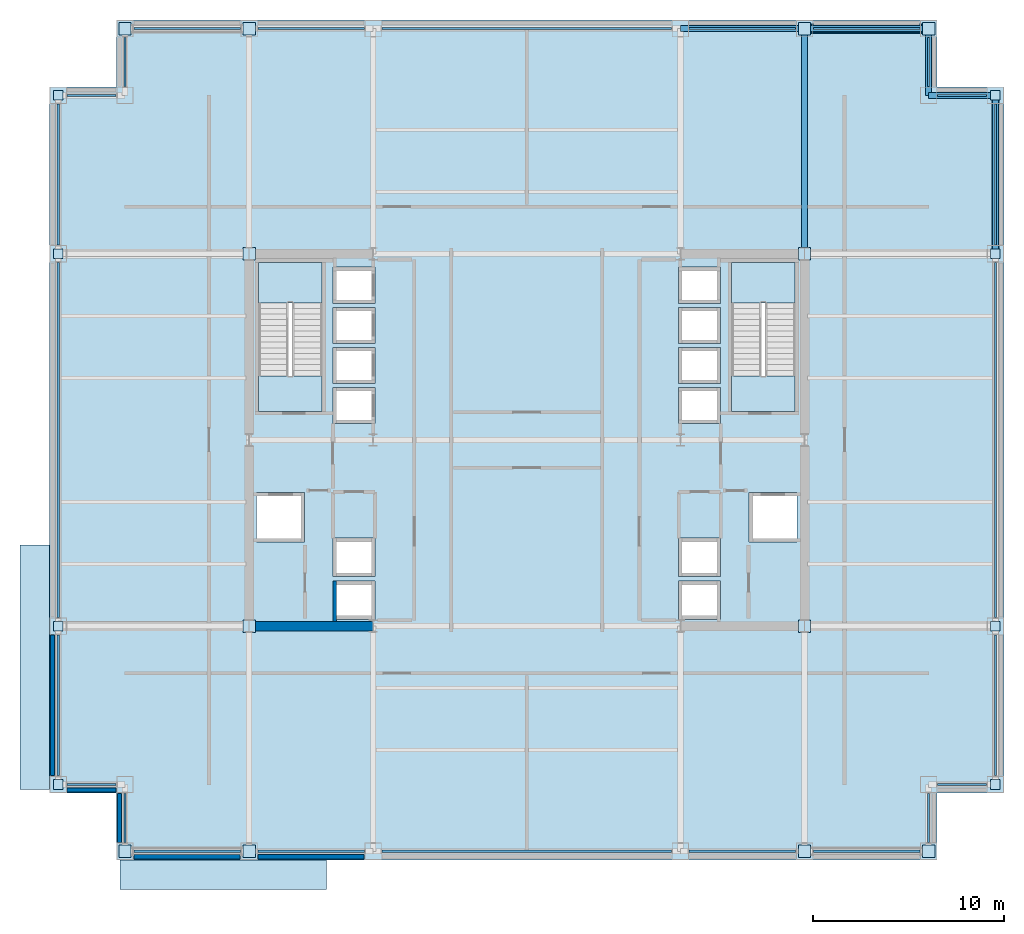
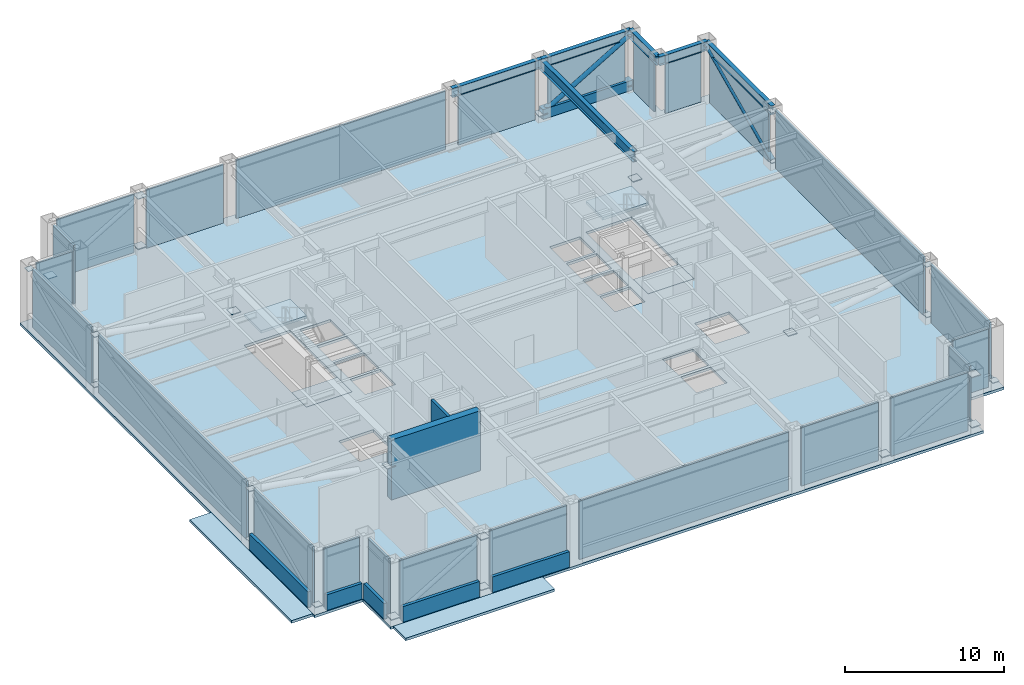
# One storey, part 2 of 8: 52 plates, 7 slabs, 7 walls, 6 beams, 3 members, 2 elements without a shape of their own.
"""IFC4 building model written with IfcOpenShell, lengths in metres."""

from ifc_helpers import new_model, si_unit, direction, frame, frame_2d, origin, origin_2d, place, context, subcontext, project, spatial, polyline, rectangle, hollow_rectangle, hollow_circle, i_section, outline, extrude, material, layer, layer_set, material_profile, profile_set, type_object, element, aggregate, save


model = new_model("IFC4")

# Units and contexts
model_context = context("Model", 3, precision=1e-05, world=origin(), true_north=direction((0.0, 1.0)))
body_context = subcontext(model_context, "Body", "Model", "MODEL_VIEW")
ifc_project = project(units=[si_unit("LENGTHUNIT", "METRE"), si_unit("AREAUNIT", "SQUARE_METRE"), si_unit("VOLUMEUNIT", "CUBIC_METRE"), si_unit("PLANEANGLEUNIT", "RADIAN"), si_unit("MASSUNIT", "GRAM", prefix="KILO")], contexts=[model_context])

# Site, building, storey
site_placement = place(None, origin())
site = spatial("IfcSite", under=ifc_project, at=site_placement, CompositionType="ELEMENT")
building_placement = place(site_placement, origin())
building = spatial("IfcBuilding", under=site, at=building_placement, Name="Brelmoor Portico Tower", CompositionType="ELEMENT")
storey_placement = place(building_placement, frame((0.0, 0.0, 78.0)))
storey = spatial("IfcBuildingStorey", under=building, at=storey_placement, Name="L20", CompositionType="ELEMENT", Elevation=78.0)

# Beams
ifc_material_1 = material(Name="Steel Q355B", Category="steel")
ifc_material_profile_1 = material_profile(ifc_material_1, i_section(OverallWidth=0.300048828125, OverallDepth=0.800048828125, WebThickness=0.013916015625, FlangeThickness=0.02587890625, at=origin_2d()), Name="HN 800x300x14x26")
ifc_profile_set_1 = profile_set([ifc_material_profile_1], Name="Steel Q355B")
beam_type_1 = type_object("IfcBeamType", Name="BM-PG-800", PredefinedType="BEAM", material=ifc_profile_set_1)
beam_1_placement = place(storey_placement, frame((14.550048828125, 9.75, 4.199951171875), z_axis=(0.0, 1.0, 0.0), x_axis=(-1.0, 0.0, 0.0)))
element("IfcBeam", 1, at=beam_1_placement, inside=storey, type_object=beam_type_1, Name="L20 Primary Floor Girder PG-14", PredefinedType="BEAM", context=body_context, shape_type="SweptSolid", body=[
    extrude(i_section(OverallWidth=0.300048828125, OverallDepth=0.800048828125, WebThickness=0.013916015625, FlangeThickness=0.02587890625, at=origin_2d()), origin(), (0.0, 0.0, 1.0), 11.800048828125),
])
ifc_material_profile_2 = material_profile(ifc_material_1, i_section(OverallWidth=0.300048828125, OverallDepth=0.699951171875, WebThickness=0.012939453125, FlangeThickness=0.02392578125, at=origin_2d()), Name="HN 700x300x13x24")
ifc_profile_set_2 = profile_set([ifc_material_profile_2], Name="Steel Q355B")
beam_type_2 = type_object("IfcBeamType", Name="BM-SP-700", PredefinedType="SPANDREL", material=ifc_profile_set_2)
beam_2_placement = place(storey_placement, frame((21.050048828125, 18.050048828125, 4.25), z_axis=(1.0, 0.0, 0.0), x_axis=(0.0, 1.0, 0.0)))
element("IfcBeam", 2, at=beam_2_placement, inside=storey, type_object=beam_type_2, Name="L20 Perimeter Spandrel Beam SP-09", PredefinedType="SPANDREL", context=body_context, shape_type="SweptSolid", body=[
    extrude(i_section(OverallWidth=0.300048828125, OverallDepth=0.699951171875, WebThickness=0.012939453125, FlangeThickness=0.02392578125, at=origin_2d()), origin(), (0.0, 0.0, 1.0), 3.5),
])
for number, where, z_axis, x_axis, name in (
    (3, (8.050048828125, 21.550048828125, 4.25), (1.0, 0.0, 0.0), (0.0, 1.0, 0.0), "L20 Perimeter Spandrel Beam SP-13"),
    (4, (14.550048828125, 21.550048828125, 4.25), (1.0, 0.0, 0.0), (0.0, 1.0, 0.0), "L20 Perimeter Spandrel Beam SP-14"),
):
    element("IfcBeam", number, at=place(storey_placement, frame(where, z_axis=z_axis, x_axis=x_axis)), inside=storey, type_object=beam_type_2, Name=name, PredefinedType="SPANDREL", context=body_context, shape_type="SweptSolid", body=[
        extrude(i_section(OverallWidth=0.300048828125, OverallDepth=0.699951171875, WebThickness=0.012939453125, FlangeThickness=0.02392578125, at=origin_2d()), origin(), (0.0, 0.0, 1.0), 6.5),
    ])
beam_3_placement = place(storey_placement, frame((21.050048828125, 18.050048828125, 4.25), z_axis=(0.0, 1.0, 0.0), x_axis=(-1.0, 0.0, 0.0)))
element("IfcBeam", 5, at=beam_3_placement, inside=storey, type_object=beam_type_2, Name="L20 Perimeter Spandrel Beam SP-21", PredefinedType="SPANDREL", context=body_context, shape_type="SweptSolid", body=[
    extrude(i_section(OverallWidth=0.300048828125, OverallDepth=0.699951171875, WebThickness=0.012939453125, FlangeThickness=0.02392578125, at=origin_2d()), origin(), (0.0, 0.0, 1.0), 3.5),
])
beam_4_placement = place(storey_placement, frame((24.550048828125, 9.75, 4.25), z_axis=(0.0, 1.0, 0.0), x_axis=(-1.0, 0.0, 0.0)))
element("IfcBeam", 6, at=beam_4_placement, inside=storey, type_object=beam_type_2, Name="L20 Perimeter Spandrel Beam SP-24", PredefinedType="SPANDREL", context=body_context, shape_type="SweptSolid", body=[
    extrude(i_section(OverallWidth=0.300048828125, OverallDepth=0.699951171875, WebThickness=0.012939453125, FlangeThickness=0.02392578125, at=origin_2d()), origin(), (0.0, 0.0, 1.0), 8.300048828125),
])

# Members
ifc_material_profile_3 = material_profile(ifc_material_1, hollow_rectangle(XDim=0.5, YDim=0.75, WallThickness=0.030029296875, at=origin_2d()), Name="RHS 500x750x30")
ifc_profile_set_3 = profile_set([ifc_material_profile_3], Name="Steel Q355B")
member_type_1 = type_object("IfcMemberType", Name="MB-BELT-CHORD", PredefinedType="CHORD", material=ifc_profile_set_3)
member_1_placement = place(storey_placement, frame((14.550048828125, 21.550048828125, 0.39990234375), z_axis=(1.0, 0.0, 0.0), x_axis=(0.0, 1.0, 0.0)))
element("IfcMember", 7, at=member_1_placement, inside=storey, type_object=member_type_1, Name="L20 Belt Truss Bottom Chord BC-04", PredefinedType="CHORD", context=body_context, shape_type="SweptSolid", body=[
    extrude(hollow_rectangle(XDim=0.5, YDim=0.75, WallThickness=0.030029296875, at=origin_2d()), origin(), (0.0, 0.0, 1.0), 6.5),
])
ifc_material_profile_4 = material_profile(ifc_material_1, hollow_circle(Radius=0.212890625, WallThickness=0.02001953125, at=origin_2d()), Name="CHS 426x20")
ifc_profile_set_4 = profile_set([ifc_material_profile_4], Name="Steel Q355B")
member_type_2 = type_object("IfcMemberType", Name="MB-BELT-DIAG1", PredefinedType="BRACE", material=ifc_profile_set_4)
member_2_placement = place(storey_placement, frame((14.550048828125, 21.550048828125, 0.39990234375), z_axis=(0.86039335432, 0.0, 0.509630528757), x_axis=(0.0, 1.0, 0.0)))
element("IfcMember", 8, at=member_2_placement, inside=storey, type_object=member_type_2, Name="L20 Belt Truss Diagonal BT-04A", PredefinedType="BRACE", context=body_context, shape_type="SweptSolid", body=[
    extrude(hollow_circle(Radius=0.212890625, WallThickness=0.02001953125, at=origin_2d()), origin(), (0.0, 0.0, 1.0), 7.5546875),
])
ifc_material_profile_5 = material_profile(ifc_material_1, hollow_circle(Radius=0.177978515625, WallThickness=0.01611328125, at=origin_2d()), Name="CHS 356x16")
ifc_profile_set_5 = profile_set([ifc_material_profile_5], Name="Steel Q355B")
member_type_3 = type_object("IfcMemberType", Name="MB-BELT-DIAG2", PredefinedType="BRACE", material=ifc_profile_set_5)
member_3_placement = place(storey_placement, frame((24.550048828125, 9.75, 0.39990234375), z_axis=(0.0, 0.907154873875, 0.420796904462), x_axis=(-1.0, 0.0, 0.0)))
element("IfcMember", 9, at=member_3_placement, inside=storey, type_object=member_type_3, Name="L20 Belt Truss Diagonal BT-10B", PredefinedType="BRACE", context=body_context, shape_type="SweptSolid", body=[
    extrude(hollow_circle(Radius=0.177978515625, WallThickness=0.01611328125, at=origin_2d()), origin(), (0.0, 0.0, 1.0), 9.149658203125),
])

# Plates
ifc_layer_1 = layer(ifc_material_1, 0.035888671875)
ifc_layer_set_1 = layer_set([ifc_layer_1], Name="Steel Q355B")
plate_type_1 = type_object("IfcPlateType", Name="PT-CAP-500", PredefinedType="SHEET", material=ifc_layer_set_1)
for number, where, z_axis, x_axis, name in (
    (10, (-24.550048828125, -18.050048828125, 0.3818359375), (0.0, 0.0, 1.0), (1.0, 0.0, 0.0), "L20 Belt Truss Diagonal BT-05B Joint Cap Plate 1"),
    (11, (-24.550048828125, -9.75, 4.23193359375), (0.0, 0.0, 1.0), (1.0, 0.0, 0.0), "L20 Belt Truss Diagonal BT-05B Joint Cap Plate 2"),
    (12, (-24.550048828125, -9.75, 0.3818359375), (0.0, 0.0, 1.0), (1.0, 0.0, 0.0), "L20 Belt Truss Diagonal BT-06B Joint Cap Plate 1"),
    (13, (-24.550048828125, 9.75, 4.23193359375), (0.0, 0.0, 1.0), (1.0, 0.0, 0.0), "L20 Belt Truss Diagonal BT-06B Joint Cap Plate 2"),
    (14, (-24.550048828125, 9.75, 0.3818359375), (0.0, 0.0, 1.0), (1.0, 0.0, 0.0), "L20 Belt Truss Diagonal BT-07B Joint Cap Plate 1"),
    (15, (-24.550048828125, 18.050048828125, 4.23193359375), (0.0, 0.0, 1.0), (1.0, 0.0, 0.0), "L20 Belt Truss Diagonal BT-07B Joint Cap Plate 2"),
    (16, (24.550048828125, -18.050048828125, 0.3818359375), (0.0, 0.0, 1.0), (1.0, 0.0, 0.0), "L20 Belt Truss Diagonal BT-08B Joint Cap Plate 1"),
    (17, (24.550048828125, -9.75, 4.23193359375), (0.0, 0.0, 1.0), (1.0, 0.0, 0.0), "L20 Belt Truss Diagonal BT-08B Joint Cap Plate 2"),
    (18, (24.550048828125, -9.75, 0.3818359375), (0.0, 0.0, 1.0), (1.0, 0.0, 0.0), "L20 Belt Truss Diagonal BT-09B Joint Cap Plate 1"),
    (19, (24.550048828125, 9.75, 4.23193359375), (0.0, 0.0, 1.0), (1.0, 0.0, 0.0), "L20 Belt Truss Diagonal BT-09B Joint Cap Plate 2"),
    (20, (24.550048828125, 9.75, 0.3818359375), (0.0, 0.0, 1.0), (1.0, 0.0, 0.0), "L20 Belt Truss Diagonal BT-10B Joint Cap Plate 1"),
    (21, (24.550048828125, 18.050048828125, 4.23193359375), (0.0, 0.0, 1.0), (1.0, 0.0, 0.0), "L20 Belt Truss Diagonal BT-10B Joint Cap Plate 2"),
):
    element("IfcPlate", number, at=place(storey_placement, frame(where, z_axis=z_axis, x_axis=x_axis)), inside=storey, type_object=plate_type_1, Name=name, PredefinedType="SHEET", context=body_context, shape_type="SweptSolid", body=[
        extrude(rectangle(XDim=0.5, YDim=0.5, at=origin_2d()), origin(), (0.0, 0.0, 1.0), 0.035888671875),
    ])
ifc_layer_2 = layer(ifc_material_1, 0.044921875)
ifc_layer_set_2 = layer_set([ifc_layer_2], Name="Steel Q355B")
plate_type_2 = type_object("IfcPlateType", Name="PT-CAP-650", PredefinedType="SHEET", material=ifc_layer_set_2)
for number, where, z_axis, x_axis, name in (
    (22, (-21.050048828125, -21.550048828125, 0.37744140625), (0.0, 0.0, 1.0), (1.0, 0.0, 0.0), "L20 Belt Truss Diagonal BT-01A Joint Cap Plate 1"),
    (23, (-14.550048828125, -21.550048828125, 4.2275390625), (0.0, 0.0, 1.0), (1.0, 0.0, 0.0), "L20 Belt Truss Diagonal BT-01A Joint Cap Plate 2"),
    (24, (-14.550048828125, -21.550048828125, 0.37744140625), (0.0, 0.0, 1.0), (1.0, 0.0, 0.0), "L20 Belt Truss Bottom Chord BC-01 Joint Cap Plate 2"),
    (25, (14.550048828125, -21.550048828125, 0.37744140625), (0.0, 0.0, 1.0), (1.0, 0.0, 0.0), "L20 Belt Truss Diagonal BT-02A Joint Cap Plate 1"),
    (26, (21.050048828125, -21.550048828125, 4.2275390625), (0.0, 0.0, 1.0), (1.0, 0.0, 0.0), "L20 Belt Truss Diagonal BT-02A Joint Cap Plate 2"),
    (27, (21.050048828125, -21.550048828125, 0.37744140625), (0.0, 0.0, 1.0), (1.0, 0.0, 0.0), "L20 Belt Truss Bottom Chord BC-02 Joint Cap Plate 2"),
    (28, (-21.050048828125, 21.550048828125, 0.37744140625), (0.0, 0.0, 1.0), (1.0, 0.0, 0.0), "L20 Belt Truss Diagonal BT-03A Joint Cap Plate 1"),
    (29, (-14.550048828125, 21.550048828125, 4.2275390625), (0.0, 0.0, 1.0), (1.0, 0.0, 0.0), "L20 Belt Truss Diagonal BT-03A Joint Cap Plate 2"),
    (30, (-14.550048828125, 21.550048828125, 0.37744140625), (0.0, 0.0, 1.0), (1.0, 0.0, 0.0), "L20 Belt Truss Bottom Chord BC-03 Joint Cap Plate 2"),
    (31, (14.550048828125, 21.550048828125, 0.37744140625), (0.0, 0.0, 1.0), (1.0, 0.0, 0.0), "L20 Belt Truss Diagonal BT-04A Joint Cap Plate 1"),
    (32, (21.050048828125, 21.550048828125, 4.2275390625), (0.0, 0.0, 1.0), (1.0, 0.0, 0.0), "L20 Belt Truss Diagonal BT-04A Joint Cap Plate 2"),
    (33, (21.050048828125, 21.550048828125, 0.37744140625), (0.0, 0.0, 1.0), (1.0, 0.0, 0.0), "L20 Belt Truss Bottom Chord BC-04 Joint Cap Plate 2"),
    (34, (-14.550048828125, -9.75, 2.527587890625), (0.0, 0.0, 1.0), (1.0, 0.0, 0.0), "L20 Outrigger Truss Diagonal OT-01 Joint Cap Plate 1"),
    (35, (14.550048828125, -9.75, 2.527587890625), (0.0, 0.0, 1.0), (1.0, 0.0, 0.0), "L20 Outrigger Truss Diagonal OT-02 Joint Cap Plate 1"),
    (36, (-14.550048828125, 9.75, 2.527587890625), (0.0, 0.0, 1.0), (1.0, 0.0, 0.0), "L20 Outrigger Truss Diagonal OT-03 Joint Cap Plate 1"),
    (37, (14.550048828125, 9.75, 2.527587890625), (0.0, 0.0, 1.0), (1.0, 0.0, 0.0), "L20 Outrigger Truss Diagonal OT-04 Joint Cap Plate 1"),
):
    element("IfcPlate", number, at=place(storey_placement, frame(where, z_axis=z_axis, x_axis=x_axis)), inside=storey, type_object=plate_type_2, Name=name, PredefinedType="SHEET", context=body_context, shape_type="SweptSolid", body=[
        extrude(rectangle(XDim=0.64990234375, YDim=0.64990234375, at=origin_2d()), origin(), (0.0, 0.0, 1.0), 0.044921875),
    ])
ifc_material_2 = material(Name="Pale Champagne Anodised Aluminium Crown Screen", Category="aluminium")
ifc_layer_3 = layer(ifc_material_2, 0.06494140625)
ifc_layer_set_3 = layer_set([ifc_layer_3], Name="Pale Champagne Anodised Aluminium Crown Screen")
plate_type_3 = type_object("IfcPlateType", Name="PT-CROWN-LOUVRE", PredefinedType="SHEET", material=ifc_layer_set_3)
for number, where, z_axis, x_axis, name in (
    (38, (-17.800048828125, -21.550048828125, 0.06005859375), (0.0, 0.0, 1.0), (1.0, 0.0, 0.0), "L20 Plant Acoustic Screen Panel S-1"),
    (39, (-11.300048828125, -21.550048828125, 0.06005859375), (0.0, 0.0, 1.0), (1.0, 0.0, 0.0), "L20 Plant Acoustic Screen Panel S-2"),
):
    element("IfcPlate", number, at=place(storey_placement, frame(where, z_axis=z_axis, x_axis=x_axis)), inside=storey, type_object=plate_type_3, Name=name, PredefinedType="SHEET", context=body_context, shape_type="SweptSolid", body=[
        extrude(rectangle(XDim=5.580078125, YDim=0.1201171875, at=origin_2d()), origin(), (0.0, 0.0, 1.0), 4.47998046875),
    ])
plate_1_placement = place(storey_placement, frame((0.0, -21.550048828125, 0.06005859375), z_axis=(0.0, 0.0, 1.0), x_axis=(1.0, 0.0, 0.0)))
element("IfcPlate", 40, at=plate_1_placement, inside=storey, type_object=plate_type_3, Name="L20 Plant Acoustic Screen Panel S-3", PredefinedType="SHEET", context=body_context, shape_type="SweptSolid", body=[
    extrude(rectangle(XDim=15.179931640625, YDim=0.1201171875, at=origin_2d()), origin(), (0.0, 0.0, 1.0), 4.47998046875),
])
for number, where, z_axis, x_axis, name in (
    (41, (11.300048828125, -21.550048828125, 0.06005859375), (0.0, 0.0, 1.0), (1.0, 0.0, 0.0), "L20 Plant Acoustic Screen Panel S-4"),
    (42, (17.800048828125, -21.550048828125, 0.06005859375), (0.0, 0.0, 1.0), (1.0, 0.0, 0.0), "L20 Plant Acoustic Screen Panel S-5"),
    (43, (-17.800048828125, 21.550048828125, 0.06005859375), (0.0, 0.0, 1.0), (1.0, 0.0, 0.0), "L20 Plant Acoustic Screen Panel N-1"),
    (44, (-11.300048828125, 21.550048828125, 0.06005859375), (0.0, 0.0, 1.0), (1.0, 0.0, 0.0), "L20 Plant Acoustic Screen Panel N-2"),
):
    element("IfcPlate", number, at=place(storey_placement, frame(where, z_axis=z_axis, x_axis=x_axis)), inside=storey, type_object=plate_type_3, Name=name, PredefinedType="SHEET", context=body_context, shape_type="SweptSolid", body=[
        extrude(rectangle(XDim=5.580078125, YDim=0.1201171875, at=origin_2d()), origin(), (0.0, 0.0, 1.0), 4.47998046875),
    ])
plate_2_placement = place(storey_placement, frame((0.0, 21.550048828125, 0.06005859375), z_axis=(0.0, 0.0, 1.0), x_axis=(1.0, 0.0, 0.0)))
element("IfcPlate", 45, at=plate_2_placement, inside=storey, type_object=plate_type_3, Name="L20 Plant Acoustic Screen Panel N-3", PredefinedType="SHEET", context=body_context, shape_type="SweptSolid", body=[
    extrude(rectangle(XDim=15.179931640625, YDim=0.1201171875, at=origin_2d()), origin(), (0.0, 0.0, 1.0), 4.47998046875),
])
for number, where, z_axis, x_axis, name in (
    (46, (11.300048828125, 21.550048828125, 0.06005859375), (0.0, 0.0, 1.0), (1.0, 0.0, 0.0), "L20 Plant Acoustic Screen Panel N-4"),
    (47, (17.800048828125, 21.550048828125, 0.06005859375), (0.0, 0.0, 1.0), (1.0, 0.0, 0.0), "L20 Plant Acoustic Screen Panel N-5"),
):
    element("IfcPlate", number, at=place(storey_placement, frame(where, z_axis=z_axis, x_axis=x_axis)), inside=storey, type_object=plate_type_3, Name=name, PredefinedType="SHEET", context=body_context, shape_type="SweptSolid", body=[
        extrude(rectangle(XDim=5.580078125, YDim=0.1201171875, at=origin_2d()), origin(), (0.0, 0.0, 1.0), 4.47998046875),
    ])
plate_3_placement = place(storey_placement, frame((-24.550048828125, -13.89990234375, 0.06005859375), z_axis=(0.0, 0.0, 1.0), x_axis=(0.0, 1.0, 0.0)))
element("IfcPlate", 48, at=plate_3_placement, inside=storey, type_object=plate_type_3, Name="L20 Plant Acoustic Screen Panel W-1", PredefinedType="SHEET", context=body_context, shape_type="SweptSolid", body=[
    extrude(rectangle(XDim=7.3798828125, YDim=0.1201171875, at=origin_2d()), origin(), (0.0, 0.0, 1.0), 4.47998046875),
])
plate_4_placement = place(storey_placement, frame((-24.550048828125, 0.0, 0.06005859375), z_axis=(0.0, 0.0, 1.0), x_axis=(0.0, 1.0, 0.0)))
element("IfcPlate", 49, at=plate_4_placement, inside=storey, type_object=plate_type_3, Name="L20 Plant Acoustic Screen Panel W-2", PredefinedType="SHEET", context=body_context, shape_type="SweptSolid", body=[
    extrude(rectangle(XDim=18.580078125, YDim=0.1201171875, at=origin_2d()), origin(), (0.0, 0.0, 1.0), 4.47998046875),
])
for number, where, z_axis, x_axis, name in (
    (50, (-24.550048828125, 13.89990234375, 0.06005859375), (0.0, 0.0, 1.0), (0.0, 1.0, 0.0), "L20 Plant Acoustic Screen Panel W-3"),
    (51, (24.550048828125, -13.89990234375, 0.06005859375), (0.0, 0.0, 1.0), (0.0, 1.0, 0.0), "L20 Plant Acoustic Screen Panel E-1"),
):
    element("IfcPlate", number, at=place(storey_placement, frame(where, z_axis=z_axis, x_axis=x_axis)), inside=storey, type_object=plate_type_3, Name=name, PredefinedType="SHEET", context=body_context, shape_type="SweptSolid", body=[
        extrude(rectangle(XDim=7.3798828125, YDim=0.1201171875, at=origin_2d()), origin(), (0.0, 0.0, 1.0), 4.47998046875),
    ])
plate_5_placement = place(storey_placement, frame((24.550048828125, 0.0, 0.06005859375), z_axis=(0.0, 0.0, 1.0), x_axis=(0.0, 1.0, 0.0)))
element("IfcPlate", 52, at=plate_5_placement, inside=storey, type_object=plate_type_3, Name="L20 Plant Acoustic Screen Panel E-2", PredefinedType="SHEET", context=body_context, shape_type="SweptSolid", body=[
    extrude(rectangle(XDim=18.580078125, YDim=0.1201171875, at=origin_2d()), origin(), (0.0, 0.0, 1.0), 4.47998046875),
])
plate_6_placement = place(storey_placement, frame((24.550048828125, 13.89990234375, 0.06005859375), z_axis=(0.0, 0.0, 1.0), x_axis=(0.0, 1.0, 0.0)))
element("IfcPlate", 53, at=plate_6_placement, inside=storey, type_object=plate_type_3, Name="L20 Plant Acoustic Screen Panel E-3", PredefinedType="SHEET", context=body_context, shape_type="SweptSolid", body=[
    extrude(rectangle(XDim=7.3798828125, YDim=0.1201171875, at=origin_2d()), origin(), (0.0, 0.0, 1.0), 4.47998046875),
])
for number, where, z_axis, x_axis, name in (
    (54, (-21.050048828125, -19.800048828125, 0.06005859375), (0.0, 0.0, 1.0), (0.0, 1.0, 0.0), "L20 Plant Acoustic Screen Panel SW1-1"),
    (55, (-22.800048828125, -18.050048828125, 0.06005859375), (0.0, 0.0, 1.0), (1.0, 0.0, 0.0), "L20 Plant Acoustic Screen Panel SW2-1"),
    (56, (21.050048828125, -19.800048828125, 0.06005859375), (0.0, 0.0, 1.0), (0.0, 1.0, 0.0), "L20 Plant Acoustic Screen Panel SE1-1"),
    (57, (22.800048828125, -18.050048828125, 0.06005859375), (0.0, 0.0, 1.0), (1.0, 0.0, 0.0), "L20 Plant Acoustic Screen Panel SE2-1"),
    (58, (-21.050048828125, 19.800048828125, 0.06005859375), (0.0, 0.0, 1.0), (0.0, 1.0, 0.0), "L20 Plant Acoustic Screen Panel NW1-1"),
    (59, (-22.800048828125, 18.050048828125, 0.06005859375), (0.0, 0.0, 1.0), (1.0, 0.0, 0.0), "L20 Plant Acoustic Screen Panel NW2-1"),
    (60, (21.050048828125, 19.800048828125, 0.06005859375), (0.0, 0.0, 1.0), (0.0, 1.0, 0.0), "L20 Plant Acoustic Screen Panel NE1-1"),
    (61, (22.800048828125, 18.050048828125, 0.06005859375), (0.0, 0.0, 1.0), (1.0, 0.0, 0.0), "L20 Plant Acoustic Screen Panel NE2-1"),
):
    element("IfcPlate", number, at=place(storey_placement, frame(where, z_axis=z_axis, x_axis=x_axis)), inside=storey, type_object=plate_type_3, Name=name, PredefinedType="SHEET", context=body_context, shape_type="SweptSolid", body=[
        extrude(rectangle(XDim=2.580078125, YDim=0.1201171875, at=origin_2d()), origin(), (0.0, 0.0, 1.0), 4.47998046875),
    ])

# Slab
ifc_material_3 = material(Name="Concrete C40", Category="concrete")
ifc_layer_4 = layer(ifc_material_3, 0.199951171875)
ifc_layer_set_4 = layer_set([ifc_layer_4], Name="Concrete C40")
slab_type_1 = type_object("IfcSlabType", Name="SL-FLOOR-200", PredefinedType="FLOOR", material=ifc_layer_set_4)
slab_1_placement = place(storey_placement, frame((0.0, 0.0, -0.199951171875)))
element("IfcSlab", 62, at=slab_1_placement, inside=storey, type_object=slab_type_1, Name="L20 Main Structural Floor Slab", PredefinedType="FLOOR", context=body_context, shape_type="SweptSolid", body=[
    extrude(outline(polyline([(-21.5, -22.0), (21.5, -22.0), (21.5, -18.5), (25.0, -18.5), (25.0, 18.5), (21.5, 18.5), (21.5, 22.0), (-21.5, 22.0), (-21.5, 18.5), (-25.0, 18.5), (-25.0, -18.5), (-21.5, -18.5), (-21.5, -22.0)]), holes=[polyline([(-10.72998046875, 1.5), (-10.72998046875, 9.300048828125), (-14.050048828125, 9.300048828125), (-14.050048828125, 1.5), (-10.72998046875, 1.5)]), polyline([(14.050048828125, 1.5), (14.050048828125, 9.300048828125), (10.72998046875, 9.300048828125), (10.72998046875, 1.5), (14.050048828125, 1.5)]), polyline([(-10.14990234375, 0.85009765625), (-7.949951171875, 0.85009765625), (-7.949951171875, 2.75), (-10.14990234375, 2.75), (-10.14990234375, 0.85009765625)]), polyline([(-10.14990234375, 2.949951171875), (-7.949951171875, 2.949951171875), (-7.949951171875, 4.85009765625), (-10.14990234375, 4.85009765625), (-10.14990234375, 2.949951171875)]), polyline([(-10.14990234375, 5.050048828125), (-7.949951171875, 5.050048828125), (-7.949951171875, 6.949951171875), (-10.14990234375, 6.949951171875), (-10.14990234375, 5.050048828125)]), polyline([(-10.14990234375, 7.14990234375), (-7.949951171875, 7.14990234375), (-7.949951171875, 9.050048828125), (-10.14990234375, 9.050048828125), (-10.14990234375, 7.14990234375)]), polyline([(7.949951171875, 0.85009765625), (10.14990234375, 0.85009765625), (10.14990234375, 2.75), (7.949951171875, 2.75), (7.949951171875, 0.85009765625)]), polyline([(7.949951171875, 2.949951171875), (10.14990234375, 2.949951171875), (10.14990234375, 4.85009765625), (7.949951171875, 4.85009765625), (7.949951171875, 2.949951171875)]), polyline([(7.949951171875, 5.050048828125), (10.14990234375, 5.050048828125), (10.14990234375, 6.949951171875), (7.949951171875, 6.949951171875), (7.949951171875, 5.050048828125)]), polyline([(7.949951171875, 7.14990234375), (10.14990234375, 7.14990234375), (10.14990234375, 9.050048828125), (7.949951171875, 9.050048828125), (7.949951171875, 7.14990234375)]), polyline([(-10.14990234375, -9.39990234375), (-7.949951171875, -9.39990234375), (-7.949951171875, -7.39990234375), (-10.14990234375, -7.39990234375), (-10.14990234375, -9.39990234375)]), polyline([(-10.14990234375, -7.14990234375), (-7.949951171875, -7.14990234375), (-7.949951171875, -5.14990234375), (-10.14990234375, -5.14990234375), (-10.14990234375, -7.14990234375)]), polyline([(7.949951171875, -9.39990234375), (10.14990234375, -9.39990234375), (10.14990234375, -7.39990234375), (7.949951171875, -7.39990234375), (7.949951171875, -9.39990234375)]), polyline([(7.949951171875, -7.14990234375), (10.14990234375, -7.14990234375), (10.14990234375, -5.14990234375), (7.949951171875, -5.14990234375), (7.949951171875, -7.14990234375)]), polyline([(-14.14990234375, -5.35009765625), (-11.64990234375, -5.35009765625), (-11.64990234375, -2.75), (-14.14990234375, -2.75), (-14.14990234375, -5.35009765625)]), polyline([(11.64990234375, -5.35009765625), (14.14990234375, -5.35009765625), (14.14990234375, -2.75), (11.64990234375, -2.75), (11.64990234375, -5.35009765625)])]), origin(), (0.0, 0.0, 1.0), 0.199951171875),
])

# Stair, slab
stair_type_1 = type_object("IfcStairType", Name="ST-CORE-W", PredefinedType="HALF_TURN_STAIR", material=ifc_material_3)
stair_1_placement = place(storey_placement, origin())
stair_1 = element("IfcStair", 63, at=stair_1_placement, inside=storey, type_object=stair_type_1, Name="L20 Protected Core Exit Stair ST-W", PredefinedType="HALF_TURN_STAIR")
ifc_layer_5 = layer(ifc_material_3, 0.179931640625)
ifc_layer_set_5 = layer_set([ifc_layer_5], Name="Concrete C40")
slab_type_2 = type_object("IfcSlabType", Name="SL-LANDING-180", PredefinedType="LANDING", material=ifc_layer_set_5)
slab_2_placement = place(storey_placement, frame((0.0, 0.0, 2.199951171875)))
slab_2 = element("IfcSlab", 64, at=slab_2_placement, type_object=slab_type_2, Name="ST-W landing 1", PredefinedType="LANDING", context=body_context, shape_type="SweptSolid", body=[
    extrude(outline(polyline([(-10.72998046875, 7.18505859375), (-10.72998046875, 9.300048828125), (-14.050048828125, 9.300048828125), (-14.050048828125, 7.18505859375), (-10.72998046875, 7.18505859375)])), origin(), (0.0, 0.0, 1.0), 0.199951171875),
])
aggregate(stair_1, [slab_2])

stair_type_2 = type_object("IfcStairType", Name="ST-CORE-E", PredefinedType="HALF_TURN_STAIR", material=ifc_material_3)
stair_2_placement = place(storey_placement, origin())
stair_2 = element("IfcStair", 65, at=stair_2_placement, inside=storey, type_object=stair_type_2, Name="L20 Protected Core Exit Stair ST-E", PredefinedType="HALF_TURN_STAIR")
slab_3_placement = place(storey_placement, frame((0.0, 0.0, 2.199951171875)))
slab_3 = element("IfcSlab", 66, at=slab_3_placement, type_object=slab_type_2, Name="ST-E landing 1", PredefinedType="LANDING", context=body_context, shape_type="SweptSolid", body=[
    extrude(outline(polyline([(14.050048828125, 7.18505859375), (14.050048828125, 9.300048828125), (10.72998046875, 9.300048828125), (10.72998046875, 7.18505859375), (14.050048828125, 7.18505859375)])), origin(), (0.0, 0.0, 1.0), 0.199951171875),
])
aggregate(stair_2, [slab_3])

# Slabs
ifc_layer_6 = layer(ifc_material_3, 0.199951171875)
ifc_layer_set_6 = layer_set([ifc_layer_6], Name="Concrete C40")
slab_type_3 = type_object("IfcSlabType", Name="SL-ROOF-200", PredefinedType="ROOF", material=ifc_layer_set_6)
slab_4_placement = place(storey_placement, frame((0.0, 0.0, -0.199951171875)))
element("IfcSlab", 67, at=slab_4_placement, inside=storey, type_object=slab_type_3, Name="L20 Picture-Frame Top Hood Slab W", PredefinedType="ROOF", context=body_context, shape_type="SweptSolid", body=[
    extrude(outline(polyline([(-26.550048828125, -18.300048828125), (-25.0, -18.300048828125), (-25.0, -5.5), (-26.550048828125, -5.5), (-26.550048828125, -18.300048828125)])), origin(), (0.0, 0.0, 1.0), 0.199951171875),
])
slab_5_placement = place(storey_placement, frame((0.0, 0.0, -0.199951171875)))
element("IfcSlab", 68, at=slab_5_placement, inside=storey, type_object=slab_type_3, Name="L20 Picture-Frame Top Hood Slab S", PredefinedType="ROOF", context=body_context, shape_type="SweptSolid", body=[
    extrude(outline(polyline([(-21.300048828125, -23.550048828125), (-10.5, -23.550048828125), (-10.5, -22.0), (-21.300048828125, -22.0), (-21.300048828125, -23.550048828125)])), origin(), (0.0, 0.0, 1.0), 0.199951171875),
])
ifc_layer_7 = layer(ifc_material_3, 0.199951171875)
ifc_layer_set_7 = layer_set([ifc_layer_7], Name="Concrete C40")
slab_type_4 = type_object("IfcSlabType", Name="SL-STAIR-FL200", PredefinedType="LANDING", material=ifc_layer_set_7)
slab_6_placement = place(storey_placement, frame((0.0, 0.0, -0.199951171875)))
element("IfcSlab", 69, at=slab_6_placement, inside=storey, type_object=slab_type_4, Name="L20 ST-W Structural Floor Landing Slab", PredefinedType="LANDING", context=body_context, shape_type="SweptSolid", body=[
    extrude(outline(polyline([(-10.72998046875, 1.5), (-10.72998046875, 3.35009765625), (-14.050048828125, 3.35009765625), (-14.050048828125, 1.5), (-10.72998046875, 1.5)])), origin(), (0.0, 0.0, 1.0), 0.199951171875),
])
slab_7_placement = place(storey_placement, frame((0.0, 0.0, -0.199951171875)))
element("IfcSlab", 70, at=slab_7_placement, inside=storey, type_object=slab_type_4, Name="L20 ST-E Structural Floor Landing Slab", PredefinedType="LANDING", context=body_context, shape_type="SweptSolid", body=[
    extrude(outline(polyline([(14.050048828125, 1.5), (14.050048828125, 3.35009765625), (10.72998046875, 3.35009765625), (10.72998046875, 1.5), (14.050048828125, 1.5)])), origin(), (0.0, 0.0, 1.0), 0.199951171875),
])

# Walls
ifc_material_4 = material(Name="Concrete C60", Category="concrete")
ifc_layer_8 = layer(ifc_material_4, 0.5)
ifc_layer_set_8 = layer_set([ifc_layer_8], Name="Concrete C60")
wall_type_1 = type_object("IfcWallType", Name="WL-CORE-500", PredefinedType="SHEAR", material=ifc_layer_set_8)
wall_1_placement = place(storey_placement, frame((-14.530029296875, -9.75, -0.199951171875), z_axis=(0.0, 0.0, 1.0), x_axis=(1.0, 0.0, 0.0)))
element("IfcWall", 71, at=wall_1_placement, inside=storey, type_object=wall_type_1, Name="L20 WC South Shear Wall", PredefinedType="SHEAR", context=body_context, shape_type="SweptSolid", body=[
    extrude(rectangle(XDim=6.4599609375, YDim=0.5, at=frame_2d((3.22998046875, 0.0))), origin(), (0.0, 0.0, 1.0), 4.800048828125),
])
ifc_material_5 = material(Name="Concrete C40 Parapet Upstand", Category="concrete")
ifc_layer_9 = layer(ifc_material_5, 0.219970703125)
ifc_layer_set_9 = layer_set([ifc_layer_9], Name="Concrete C40 Parapet Upstand")
wall_type_2 = type_object("IfcWallType", Name="WL-PARAPET-220", PredefinedType="PARAPET", material=ifc_layer_set_9)
for number, where, z_axis, x_axis, name in (
    (72, (-20.580078125, -21.840087890625, 0.0), (0.0, 0.0, 1.0), (1.0, 0.0, 0.0), "L20 Plant Louvre Perimeter Upstand 01"),
    (73, (-14.080078125, -21.840087890625, 0.0), (0.0, 0.0, 1.0), (1.0, 0.0, 0.0), "L20 Plant Louvre Perimeter Upstand 02"),
):
    element("IfcWall", number, at=place(storey_placement, frame(where, z_axis=z_axis, x_axis=x_axis)), inside=storey, type_object=wall_type_2, Name=name, PredefinedType="PARAPET", context=body_context, shape_type="SweptSolid", body=[
        extrude(rectangle(XDim=5.56005859375, YDim=0.219970703125, at=frame_2d((2.780029296875, 0.0))), origin(), (0.0, 0.0, 1.0), 1.199951171875),
    ])
wall_2_placement = place(storey_placement, frame((-24.840087890625, -10.219970703125, 0.0), z_axis=(0.0, 0.0, 1.0), x_axis=(0.0, -1.0, 0.0)))
element("IfcWall", 74, at=wall_2_placement, inside=storey, type_object=wall_type_2, Name="L20 Plant Louvre Perimeter Upstand 22", PredefinedType="PARAPET", context=body_context, shape_type="SweptSolid", body=[
    extrude(rectangle(XDim=7.360107421875, YDim=0.219970703125, at=frame_2d((3.68017578125, 0.0))), origin(), (0.0, 0.0, 1.0), 1.199951171875),
])
for number, where, z_axis, x_axis, name in (
    (75, (-24.080078125, -18.340087890625, 0.0), (0.0, 0.0, 1.0), (1.0, 0.0, 0.0), "L20 Plant Louvre Perimeter Upstand 23"),
    (76, (-21.340087890625, -18.52001953125, 0.0), (0.0, 0.0, 1.0), (0.0, -1.0, 0.0), "L20 Plant Louvre Perimeter Upstand 24"),
):
    element("IfcWall", number, at=place(storey_placement, frame(where, z_axis=z_axis, x_axis=x_axis)), inside=storey, type_object=wall_type_2, Name=name, PredefinedType="PARAPET", context=body_context, shape_type="SweptSolid", body=[
        extrude(rectangle(XDim=2.56005859375, YDim=0.219970703125, at=frame_2d((1.280029296875, 0.0))), origin(), (0.0, 0.0, 1.0), 1.199951171875),
    ])
ifc_material_6 = material(Name="Precast Concrete C40", Category="concrete")
ifc_layer_10 = layer(ifc_material_6, 0.18994140625)
ifc_layer_set_10 = layer_set([ifc_layer_10], Name="Precast Concrete C40")
wall_type_3 = type_object("IfcWallType", Name="WL-SHAFT-180", PredefinedType="SOLIDWALL", material=ifc_layer_set_10)
wall_3_placement = place(storey_placement, frame((-10.054931640625, -9.52001953125, -0.199951171875), z_axis=(0.0, 0.0, 1.0), x_axis=(0.0, 1.0, 0.0)))
element("IfcWall", 77, at=wall_3_placement, inside=storey, type_object=wall_type_3, Name="L20 Lift PH1 Hoistway Back Wall", PredefinedType="SOLIDWALL", context=body_context, shape_type="SweptSolid", body=[
    extrude(rectangle(XDim=2.1201171875, YDim=0.18994140625, at=frame_2d((1.06005859375, 0.0))), origin(), (0.0, 0.0, 1.0), 4.800048828125),
])

save(model, "model.ifc")
